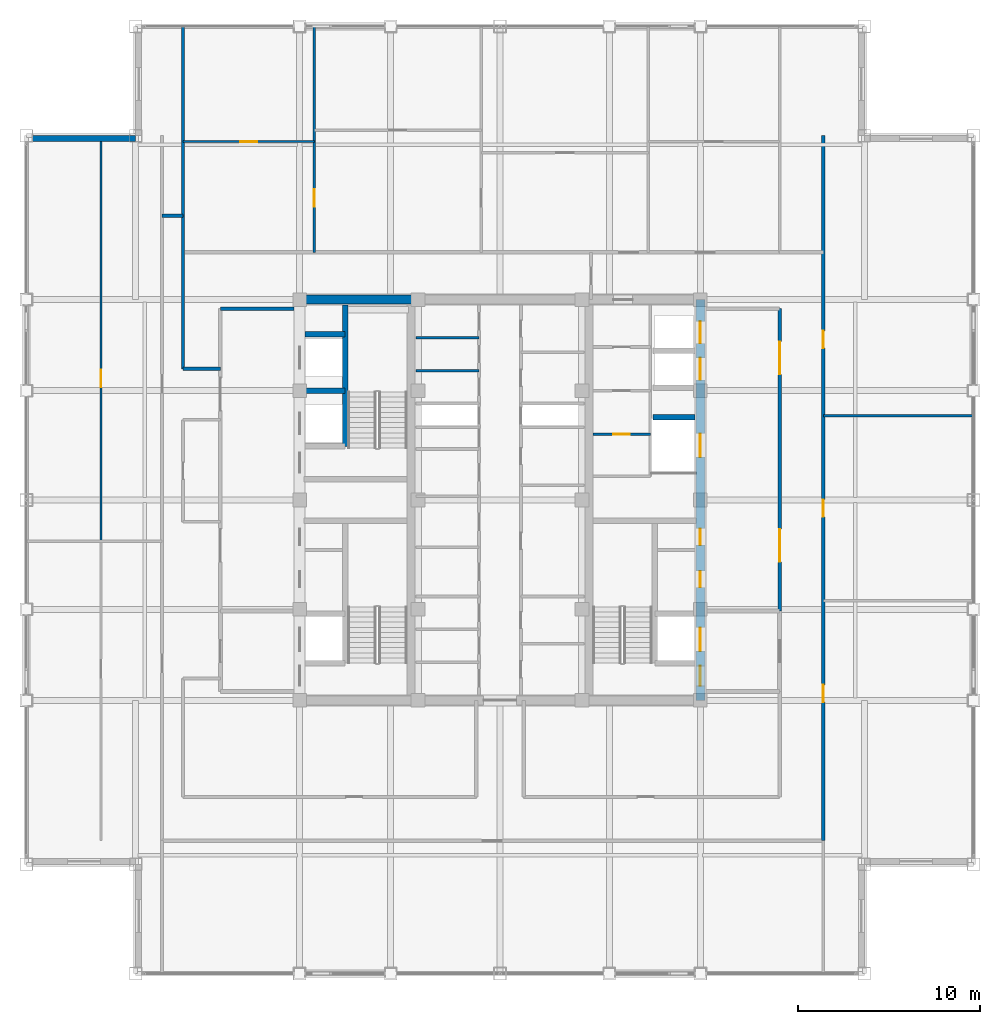
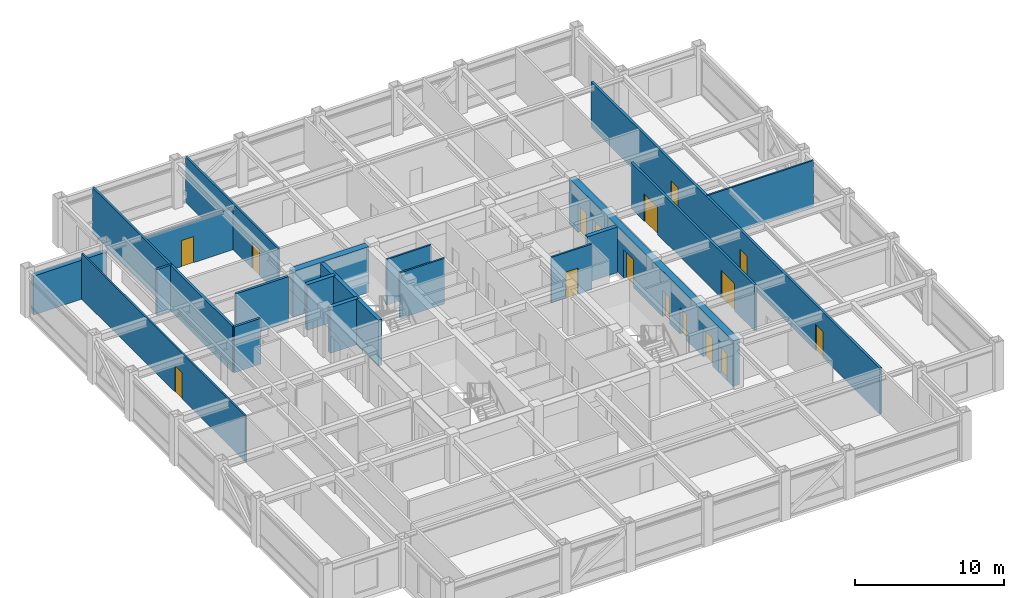
# One storey, part 26 of 29: 21 walls, 16 doors, 16 openings.
"""IFC4 building model written with IfcOpenShell, lengths in metres."""

from ifc_helpers import new_model, si_unit, direction, frame, frame_2d, origin, place, context, subcontext, project, spatial, rectangle, extrude, source, transform, mapped, material, layer, layer_set, type_object, element, fill, save


model = new_model("IFC4")

# Units and contexts
model_context = context("Model", 3, precision=1e-05, world=origin(), true_north=direction((0.0, 1.0)))
body_context = subcontext(model_context, "Body", "Model", "MODEL_VIEW")
ifc_project = project(units=[si_unit("LENGTHUNIT", "METRE"), si_unit("AREAUNIT", "SQUARE_METRE"), si_unit("VOLUMEUNIT", "CUBIC_METRE"), si_unit("PLANEANGLEUNIT", "RADIAN"), si_unit("MASSUNIT", "GRAM", prefix="KILO")], contexts=[model_context])

# Site, building, storey
site_placement = place(None, origin())
site = spatial("IfcSite", under=ifc_project, at=site_placement, CompositionType="ELEMENT")
building_placement = place(site_placement, origin())
building = spatial("IfcBuilding", under=site, at=building_placement, Name="Khorayat Bourse Tower", CompositionType="ELEMENT")
storey_placement = place(building_placement, frame((0.0, 0.0, 362.300048828125)))
storey = spatial("IfcBuildingStorey", under=building, at=storey_placement, Name="L86", CompositionType="ELEMENT", Elevation=362.300048828125)

# Wall, openings, doors
ifc_material_1 = material(Name="Concrete C52/65", Category="concrete")
ifc_layer_1 = layer(ifc_material_1, 0.5)
ifc_layer_set_1 = layer_set([ifc_layer_1], Name="Concrete C52/65")
wall_type_1 = type_object("IfcWallType", Name="WAL-CORE-500", PredefinedType="SHEAR", material=ifc_layer_set_1)
shared_shape_1 = source(origin(), body_context, "Body", "SweptSolid", [
    extrude(rectangle(XDim=22.0, YDim=0.5, at=frame_2d((11.0, 0.0))), origin(), (0.0, 0.0, 1.0), 3.739990234375),
])
wall_1_placement = place(storey_placement, frame((11.0, -11.0, 0.0), z_axis=(0.0, 0.0, 1.0), x_axis=(0.0, 1.0, 0.0)))
wall_1 = element("IfcWall", 1, at=wall_1_placement, inside=storey, type_object=wall_type_1, Name="L86 Core Shear Wall CORE-E", PredefinedType="SHEAR", context=body_context, shape_type="MappedRepresentation", body=[
    mapped(shared_shape_1, transform((0.0, 0.0, 0.0), scale=1.0)),
])
shared_shape_2 = source(origin(), body_context, "Body", "SweptSolid", [
    extrude(rectangle(XDim=1.10009765625, YDim=2.199951171875, at=frame_2d((0.550048828125, 1.10009765625))), frame((0.0, 0.260009765625, 0.0), z_axis=(0.0, -1.0, 0.0), x_axis=(1.0, 0.0, 0.0)), (0.0, 0.0, 1.0), 0.52001953125),
])
opening_1_placement = place(wall_1_placement, frame((0.800048828125, 0.0, 0.0)))
opening_1 = element("IfcOpeningElement", 2, at=opening_1_placement, cuts=wall_1, Name="Opening DI-01", PredefinedType="OPENING", context=body_context, shape_type="MappedRepresentation", body=[
    mapped(shared_shape_2, transform((0.0, 0.0, 0.0), scale=1.0)),
])
shared_shape_3 = source(origin(), body_context, "Body", "SweptSolid", [
    extrude(rectangle(XDim=0.89990234375, YDim=2.14990234375, at=frame_2d((0.449951171875, 1.074951171875))), frame((0.0, 0.260009765625, 0.0), z_axis=(0.0, -1.0, 0.0), x_axis=(1.0, 0.0, 0.0)), (0.0, 0.0, 1.0), 0.52001953125),
])
opening_2_placement = place(wall_1_placement, frame((6.199951171875, 0.0, 0.0)))
opening_2 = element("IfcOpeningElement", 3, at=opening_2_placement, cuts=wall_1, Name="Opening DI-06", PredefinedType="OPENING", context=body_context, shape_type="MappedRepresentation", body=[
    mapped(shared_shape_3, transform((0.0, 0.0, 0.0), scale=1.0)),
])
opening_3_placement = place(wall_1_placement, frame((8.52490234375, 0.0, 0.0)))
opening_3 = element("IfcOpeningElement", 4, at=opening_3_placement, cuts=wall_1, Name="Opening DI-06", PredefinedType="OPENING", context=body_context, shape_type="MappedRepresentation", body=[
    mapped(shared_shape_3, transform((0.0, 0.0, 0.0), scale=1.0)),
])
shared_shape_4 = source(origin(), body_context, "Body", "SweptSolid", [
    extrude(rectangle(XDim=1.199951171875, YDim=2.300048828125, at=frame_2d((0.60009765625, 1.14990234375))), frame((0.0, 0.260009765625, 0.0), z_axis=(0.0, -1.0, 0.0), x_axis=(1.0, 0.0, 0.0)), (0.0, 0.0, 1.0), 0.52001953125),
])
opening_4_placement = place(wall_1_placement, frame((17.60009765625, 0.0, 0.0)))
opening_4 = element("IfcOpeningElement", 5, at=opening_4_placement, cuts=wall_1, Name="Opening LD-01", PredefinedType="OPENING", context=body_context, shape_type="MappedRepresentation", body=[
    mapped(shared_shape_4, transform((0.0, 0.0, 0.0), scale=1.0)),
])
opening_5_placement = place(wall_1_placement, frame((19.60009765625, 0.0, 0.0)))
opening_5 = element("IfcOpeningElement", 6, at=opening_5_placement, cuts=wall_1, Name="Opening LD-01", PredefinedType="OPENING", context=body_context, shape_type="MappedRepresentation", body=[
    mapped(shared_shape_4, transform((0.0, 0.0, 0.0), scale=1.0)),
])
shared_shape_5 = source(origin(), body_context, "Body", "SweptSolid", [
    extrude(rectangle(XDim=1.300048828125, YDim=2.300048828125, at=frame_2d((0.64990234375, 1.14990234375))), frame((0.0, 0.260009765625, 0.0), z_axis=(0.0, -1.0, 0.0), x_axis=(1.0, 0.0, 0.0)), (0.0, 0.0, 1.0), 0.52001953125),
])
opening_6_placement = place(wall_1_placement, frame((2.699951171875, 0.0, 0.0)))
opening_6 = element("IfcOpeningElement", 7, at=opening_6_placement, cuts=wall_1, Name="Opening LD-02", PredefinedType="OPENING", context=body_context, shape_type="MappedRepresentation", body=[
    mapped(shared_shape_5, transform((0.0, 0.0, 0.0), scale=1.0)),
])
opening_7_placement = place(wall_1_placement, frame((13.35009765625, 0.0, 0.0)))
opening_7 = element("IfcOpeningElement", 8, at=opening_7_placement, cuts=wall_1, Name="Opening LD-02", PredefinedType="OPENING", context=body_context, shape_type="MappedRepresentation", body=[
    mapped(shared_shape_5, transform((0.0, 0.0, 0.0), scale=1.0)),
])
ifc_material_2 = material(Name="Fire-rated steel acoustic leaf", Category="steel")
door_type_1 = type_object("IfcDoorType", Name="DR-INT-STAIR-1100", OperationType="NOTDEFINED", PredefinedType="DOOR", material=ifc_material_2)
shared_shape_6 = source(origin(), body_context, "Body", "SweptSolid", [
    extrude(rectangle(XDim=1.10009765625, YDim=2.199951171875, at=frame_2d((0.550048828125, 1.10009765625))), frame((0.0, 0.02490234375, 0.0), z_axis=(0.0, -1.0, 0.0), x_axis=(1.0, 0.0, 0.0)), (0.0, 0.0, 1.0), 0.050048828125),
])
door_1_placement = place(opening_1_placement, origin())
door_1 = element("IfcDoor", 9, at=door_1_placement, inside=storey, type_object=door_type_1, Name="L86 Exit Stair 3 Door", OperationType="SINGLE_SWING_LEFT", OverallHeight=2.199951171875, OverallWidth=1.10009765625, PredefinedType="DOOR", context=body_context, shape_type="MappedRepresentation", body=[
    mapped(shared_shape_6, transform((0.0, 0.0, 0.0), scale=1.0)),
])
fill(opening_1, door_1)
ifc_material_3 = material(Name="Moisture-resistant laminate washroom door")
door_type_2 = type_object("IfcDoorType", Name="DR-INT-WC-900", OperationType="NOTDEFINED", PredefinedType="DOOR", material=ifc_material_3)
shared_shape_7 = source(origin(), body_context, "Body", "SweptSolid", [
    extrude(rectangle(XDim=0.89990234375, YDim=2.14990234375, at=frame_2d((0.449951171875, 1.074951171875))), frame((0.0, 0.02490234375, 0.0), z_axis=(0.0, -1.0, 0.0), x_axis=(1.0, 0.0, 0.0)), (0.0, 0.0, 1.0), 0.050048828125),
])
door_2_placement = place(opening_2_placement, origin())
door_2 = element("IfcDoor", 10, at=door_2_placement, inside=storey, type_object=door_type_2, Name="L86 Telecom Closet Door", OperationType="SINGLE_SWING_LEFT", OverallHeight=2.14990234375, OverallWidth=0.89990234375, PredefinedType="DOOR", context=body_context, shape_type="MappedRepresentation", body=[
    mapped(shared_shape_7, transform((0.0, 0.0, 0.0), scale=1.0)),
])
fill(opening_2, door_2)
door_3_placement = place(opening_3_placement, origin())
door_3 = element("IfcDoor", 11, at=door_3_placement, inside=storey, type_object=door_type_2, Name="L86 Stationery Store Door", OperationType="SINGLE_SWING_RIGHT", OverallHeight=2.14990234375, OverallWidth=0.89990234375, PredefinedType="DOOR", context=body_context, shape_type="MappedRepresentation", body=[
    mapped(shared_shape_7, transform((0.0, 0.0, 0.0), scale=1.0)),
])
fill(opening_3, door_3)
ifc_material_4 = material(Name="Brushed bronze stainless-steel sliding door", Category="steel")
door_type_3 = type_object("IfcDoorType", Name="DR-LIFT-PASS-1200", OperationType="NOTDEFINED", PredefinedType="DOOR", material=ifc_material_4)
shared_shape_8 = source(origin(), body_context, "Body", "SweptSolid", [
    extrude(rectangle(XDim=1.199951171875, YDim=2.300048828125, at=frame_2d((0.60009765625, 1.14990234375))), frame((0.0, 0.02490234375, 0.0), z_axis=(0.0, -1.0, 0.0), x_axis=(1.0, 0.0, 0.0)), (0.0, 0.0, 1.0), 0.050048828125),
])
door_4_placement = place(opening_4_placement, origin())
door_4 = element("IfcDoor", 12, at=door_4_placement, inside=storey, type_object=door_type_3, Name="L86 Lift PL-H3 Sliding Landing Door", OperationType="SLIDING_TO_LEFT", OverallHeight=2.300048828125, OverallWidth=1.199951171875, PredefinedType="DOOR", context=body_context, shape_type="MappedRepresentation", body=[
    mapped(shared_shape_8, transform((0.0, 0.0, 0.0), scale=1.0)),
])
fill(opening_4, door_4)
door_5_placement = place(opening_5_placement, origin())
door_5 = element("IfcDoor", 13, at=door_5_placement, inside=storey, type_object=door_type_3, Name="L86 Lift PL-H4 Sliding Landing Door", OperationType="SLIDING_TO_LEFT", OverallHeight=2.300048828125, OverallWidth=1.199951171875, PredefinedType="DOOR", context=body_context, shape_type="MappedRepresentation", body=[
    mapped(shared_shape_8, transform((0.0, 0.0, 0.0), scale=1.0)),
])
fill(opening_5, door_5)
ifc_material_5 = material(Name="Fire-rated stainless-steel sliding landing door", Category="steel")
door_type_4 = type_object("IfcDoorType", Name="DR-LIFT-FF-1300", OperationType="NOTDEFINED", PredefinedType="DOOR", material=ifc_material_5)
shared_shape_9 = source(origin(), body_context, "Body", "SweptSolid", [
    extrude(rectangle(XDim=1.300048828125, YDim=2.300048828125, at=frame_2d((0.64990234375, 1.14990234375))), frame((0.0, 0.02490234375, 0.0), z_axis=(0.0, -1.0, 0.0), x_axis=(1.0, 0.0, 0.0)), (0.0, 0.0, 1.0), 0.050048828125),
])
door_6_placement = place(opening_6_placement, origin())
door_6 = element("IfcDoor", 14, at=door_6_placement, inside=storey, type_object=door_type_4, Name="L86 Lift FFL-02 Sliding Landing Door", OperationType="SLIDING_TO_LEFT", OverallHeight=2.300048828125, OverallWidth=1.300048828125, PredefinedType="DOOR", context=body_context, shape_type="MappedRepresentation", body=[
    mapped(shared_shape_9, transform((0.0, 0.0, 0.0), scale=1.0)),
])
fill(opening_6, door_6)
door_7_placement = place(opening_7_placement, origin())
door_7 = element("IfcDoor", 15, at=door_7_placement, inside=storey, type_object=door_type_4, Name="L86 Lift SVL-01 Sliding Landing Door", OperationType="SLIDING_TO_LEFT", OverallHeight=2.300048828125, OverallWidth=1.300048828125, PredefinedType="DOOR", context=body_context, shape_type="MappedRepresentation", body=[
    mapped(shared_shape_9, transform((0.0, 0.0, 0.0), scale=1.0)),
])
fill(opening_7, door_7)

# Walls
shared_shape_10 = source(origin(), body_context, "Body", "SweptSolid", [
    extrude(rectangle(XDim=5.89990234375, YDim=0.5, at=frame_2d((2.949951171875, 0.0))), origin(), (0.0, 0.0, 1.0), 3.739990234375),
])
wall_2_placement = place(storey_placement, frame((-10.75, 11.0, 0.0), z_axis=(0.0, 0.0, 1.0), x_axis=(1.0, 0.0, 0.0)))
element("IfcWall", 16, at=wall_2_placement, inside=storey, type_object=wall_type_1, Name="L86 Core Shear Wall PIER-WN", PredefinedType="SHEAR", context=body_context, shape_type="MappedRepresentation", body=[
    mapped(shared_shape_10, transform((0.0, 0.0, 0.0), scale=1.0)),
])
ifc_material_6 = material(Name="Precast concrete C45/55", Category="concrete")
ifc_layer_2 = layer(ifc_material_6, 0.320068359375)
ifc_layer_set_2 = layer_set([ifc_layer_2], Name="Precast concrete C45/55")
wall_type_2 = type_object("IfcWallType", Name="WAL-EXT-STONE-320", PredefinedType="STANDARD", material=ifc_layer_set_2)
shared_shape_11 = source(origin(), body_context, "Body", "SweptSolid", [
    extrude(rectangle(XDim=5.679931640625, YDim=0.320068359375, at=frame_2d((2.83984375, 0.0))), origin(), (0.0, 0.0, 1.0), 3.19091796875),
])
wall_3_placement = place(storey_placement, frame((-20.0, 19.840087890625, 0.0), z_axis=(0.0, 0.0, 1.0), x_axis=(-1.0, 0.0, 0.0)))
element("IfcWall", 17, at=wall_3_placement, inside=storey, type_object=wall_type_2, Name="L86 Re-Entrant Notch Limestone Wall NW-H", PredefinedType="STANDARD", context=body_context, shape_type="MappedRepresentation", body=[
    mapped(shared_shape_11, transform((0.0, 0.0, 0.0), scale=1.0)),
])
ifc_material_7 = material(Name="Concrete C50/60", Category="concrete")
ifc_layer_3 = layer(ifc_material_7, 0.300048828125)
ifc_layer_set_3 = layer_set([ifc_layer_3], Name="Concrete C50/60")
wall_type_3 = type_object("IfcWallType", Name="WAL-SHAFT-300", PredefinedType="SHEAR", material=ifc_layer_set_3)
shared_shape_12 = source(origin(), body_context, "Body", "SweptSolid", [
    extrude(rectangle(XDim=2.199951171875, YDim=0.300048828125, at=frame_2d((1.10009765625, 0.0))), origin(), (0.0, 0.0, 1.0), 3.739990234375),
])
for number, where, z_axis, x_axis, name in (
    (18, (-10.699951171875, 6.0, 0.0), (0.0, 0.0, 1.0), (1.0, 0.0, 0.0), "L86 Partition WAL-L86-WPIER-H12"),
    (19, (-10.699951171875, 9.10009765625, 0.0), (0.0, 0.0, 1.0), (1.0, 0.0, 0.0), "L86 Partition WAL-L86-WPIER-H2N"),
):
    element("IfcWall", number, at=place(storey_placement, frame(where, z_axis=z_axis, x_axis=x_axis)), inside=storey, type_object=wall_type_3, Name=name, PredefinedType="SHEAR", context=body_context, shape_type="MappedRepresentation", body=[
        mapped(shared_shape_12, transform((0.0, 0.0, 0.0), scale=1.0)),
    ])
shared_shape_13 = source(origin(), body_context, "Body", "SweptSolid", [
    extrude(rectangle(XDim=7.75, YDim=0.300048828125, at=frame_2d((3.875, 0.0))), origin(), (0.0, 0.0, 1.0), 3.739990234375),
])
wall_4_placement = place(storey_placement, frame((-8.5, 2.949951171875, 0.0), z_axis=(0.0, 0.0, 1.0), x_axis=(0.0, 1.0, 0.0)))
element("IfcWall", 20, at=wall_4_placement, inside=storey, type_object=wall_type_3, Name="L86 Partition WAL-L86-WPIER-ST2S", PredefinedType="SHEAR", context=body_context, shape_type="MappedRepresentation", body=[
    mapped(shared_shape_13, transform((0.0, 0.0, 0.0), scale=1.0)),
])
shared_shape_14 = source(origin(), body_context, "Body", "SweptSolid", [
    extrude(rectangle(XDim=2.300048828125, YDim=0.300048828125, at=frame_2d((1.14990234375, 0.0))), origin(), (0.0, 0.0, 1.0), 3.739990234375),
])
wall_5_placement = place(storey_placement, frame((8.39990234375, 4.550048828125, 0.0), z_axis=(0.0, 0.0, 1.0), x_axis=(1.0, 0.0, 0.0)))
element("IfcWall", 21, at=wall_5_placement, inside=storey, type_object=wall_type_3, Name="L86 Partition WAL-L86-EPIER-SVLN", PredefinedType="SHEAR", context=body_context, shape_type="MappedRepresentation", body=[
    mapped(shared_shape_14, transform((0.0, 0.0, 0.0), scale=1.0)),
])

# Wall, opening, door
ifc_material_8 = material(Name="Moisture-resistant masonry partition", Category="masonry")
ifc_layer_4 = layer(ifc_material_8, 0.139892578125)
ifc_layer_set_4 = layer_set([ifc_layer_4], Name="Moisture-resistant masonry partition")
wall_type_4 = type_object("IfcWallType", Name="WAL-PART-WET-140", PredefinedType="PARTITIONING", material=ifc_layer_set_4)
shared_shape_15 = source(origin(), body_context, "Body", "SweptSolid", [
    extrude(rectangle(XDim=3.14990234375, YDim=0.139892578125, at=frame_2d((1.574951171875, 0.0))), origin(), (0.0, 0.0, 1.0), 3.739990234375),
])
wall_6_placement = place(storey_placement, frame((5.10009765625, 3.60009765625, 0.0), z_axis=(0.0, 0.0, 1.0), x_axis=(1.0, 0.0, 0.0)))
wall_6 = element("IfcWall", 22, at=wall_6_placement, inside=storey, type_object=wall_type_4, Name="L86 Partition WAL-L86-ECW-H2", PredefinedType="PARTITIONING", context=body_context, shape_type="MappedRepresentation", body=[
    mapped(shared_shape_15, transform((0.0, 0.0, 0.0), scale=1.0)),
])
shared_shape_16 = source(origin(), body_context, "Body", "SweptSolid", [
    extrude(rectangle(XDim=0.89990234375, YDim=2.14990234375, at=frame_2d((0.449951171875, 1.074951171875))), frame((0.0, 0.079833984375, 0.0), z_axis=(0.0, -1.0, 0.0), x_axis=(1.0, 0.0, 0.0)), (0.0, 0.0, 1.0), 0.159912109375),
])
opening_8_placement = place(wall_6_placement, frame((1.1298828125, 0.0, 0.0)))
opening_8 = element("IfcOpeningElement", 23, at=opening_8_placement, cuts=wall_6, Name="Opening DI-06", PredefinedType="OPENING", context=body_context, shape_type="MappedRepresentation", body=[
    mapped(shared_shape_16, transform((0.0, 0.0, 0.0), scale=1.0)),
])
door_8_placement = place(opening_8_placement, origin())
door_8 = element("IfcDoor", 24, at=door_8_placement, inside=storey, type_object=door_type_2, Name="L86 Staff Washroom Door", OperationType="SINGLE_SWING_LEFT", OverallHeight=2.14990234375, OverallWidth=0.89990234375, PredefinedType="DOOR", context=body_context, shape_type="MappedRepresentation", body=[
    mapped(shared_shape_7, transform((0.0, 0.0, 0.0), scale=1.0)),
])
fill(opening_8, door_8)

# Wall
ifc_material_9 = material(Name="Gypsum plasterboard acoustic stud wall")
ifc_layer_5 = layer(ifc_material_9, 0.179931640625)
ifc_layer_set_5 = layer_set([ifc_layer_5], Name="Gypsum plasterboard acoustic stud wall")
wall_type_5 = type_object("IfcWallType", Name="WAL-PART-CORR-180", PredefinedType="PARTITIONING", material=ifc_layer_set_5)
shared_shape_17 = source(origin(), body_context, "Body", "SweptSolid", [
    extrude(rectangle(XDim=4.050048828125, YDim=0.179931640625, at=frame_2d((2.02490234375, 0.0))), origin(), (0.0, 0.0, 1.0), 3.739990234375),
])
wall_7_placement = place(storey_placement, frame((-15.35009765625, 10.5, 0.0), z_axis=(0.0, 0.0, 1.0), x_axis=(1.0, 0.0, 0.0)))
element("IfcWall", 25, at=wall_7_placement, inside=storey, type_object=wall_type_5, Name="L86 Partition WAL-L86-WLOB-N", PredefinedType="PARTITIONING", context=body_context, shape_type="MappedRepresentation", body=[
    mapped(shared_shape_17, transform((0.0, 0.0, 0.0), scale=1.0)),
])

# Wall, openings, doors
shared_shape_18 = source(origin(), body_context, "Body", "SweptSolid", [
    extrude(rectangle(XDim=16.60009765625, YDim=0.179931640625, at=frame_2d((8.300048828125, 0.0))), origin(), (0.0, 0.0, 1.0), 3.739990234375),
])
wall_8_placement = place(storey_placement, frame((15.35009765625, -6.10009765625, 0.0), z_axis=(0.0, 0.0, 1.0), x_axis=(0.0, 1.0, 0.0)))
wall_8 = element("IfcWall", 26, at=wall_8_placement, inside=storey, type_object=wall_type_5, Name="L86 Partition WAL-L86-ELOB-E", PredefinedType="PARTITIONING", context=body_context, shape_type="MappedRepresentation", body=[
    mapped(shared_shape_18, transform((0.0, 0.0, 0.0), scale=1.0)),
])
shared_shape_19 = source(origin(), body_context, "Body", "SweptSolid", [
    extrude(rectangle(XDim=1.800048828125, YDim=2.25, at=frame_2d((0.89990234375, 1.125))), frame((0.0, 0.099853515625, 0.0), z_axis=(0.0, -1.0, 0.0), x_axis=(1.0, 0.0, 0.0)), (0.0, 0.0, 1.0), 0.199951171875),
])
opening_9_placement = place(wall_8_placement, frame((2.699951171875, 0.0, 0.0)))
opening_9 = element("IfcOpeningElement", 27, at=opening_9_placement, cuts=wall_8, Name="Opening DI-03", PredefinedType="OPENING", context=body_context, shape_type="MappedRepresentation", body=[
    mapped(shared_shape_19, transform((0.0, 0.0, 0.0), scale=1.0)),
])
opening_10_placement = place(wall_8_placement, frame((13.0, 0.0, 0.0)))
opening_10 = element("IfcOpeningElement", 28, at=opening_10_placement, cuts=wall_8, Name="Opening DI-03", PredefinedType="OPENING", context=body_context, shape_type="MappedRepresentation", body=[
    mapped(shared_shape_19, transform((0.0, 0.0, 0.0), scale=1.0)),
])
ifc_material_10 = material(Name="Fire-rated hardwood vision-panel double leaf", Category="wood")
door_type_5 = type_object("IfcDoorType", Name="DR-INT-CORR-1800", OperationType="NOTDEFINED", PredefinedType="DOOR", material=ifc_material_10)
shared_shape_20 = source(origin(), body_context, "Body", "SweptSolid", [
    extrude(rectangle(XDim=1.800048828125, YDim=2.25, at=frame_2d((0.89990234375, 1.125))), frame((0.0, 0.02490234375, 0.0), z_axis=(0.0, -1.0, 0.0), x_axis=(1.0, 0.0, 0.0)), (0.0, 0.0, 1.0), 0.050048828125),
])
door_9_placement = place(opening_9_placement, origin())
door_9 = element("IfcDoor", 29, at=door_9_placement, inside=storey, type_object=door_type_5, Name="L86 East Core Lobby South Door", OperationType="SINGLE_SWING_RIGHT", OverallHeight=2.25, OverallWidth=1.800048828125, PredefinedType="DOOR", context=body_context, shape_type="MappedRepresentation", body=[
    mapped(shared_shape_20, transform((0.0, 0.0, 0.0), scale=1.0)),
])
fill(opening_9, door_9)
door_10_placement = place(opening_10_placement, origin())
door_10 = element("IfcDoor", 30, at=door_10_placement, inside=storey, type_object=door_type_5, Name="L86 East Core Lobby North Door", OperationType="SINGLE_SWING_LEFT", OverallHeight=2.25, OverallWidth=1.800048828125, PredefinedType="DOOR", context=body_context, shape_type="MappedRepresentation", body=[
    mapped(shared_shape_20, transform((0.0, 0.0, 0.0), scale=1.0)),
])
fill(opening_10, door_10)

# Walls
shared_shape_21 = source(origin(), body_context, "Body", "SweptSolid", [
    extrude(rectangle(XDim=3.4501953125, YDim=0.139892578125, at=frame_2d((1.72509765625, 0.0))), origin(), (0.0, 0.0, 1.0), 3.739990234375),
])
for number, where, z_axis, x_axis, name in (
    (31, (-4.60009765625, 7.10009765625, 0.0), (0.0, 0.0, 1.0), (1.0, 0.0, 0.0), "L86 Partition WAL-L86-FB2W-D1"),
    (32, (-4.60009765625, 8.89990234375, 0.0), (0.0, 0.0, 1.0), (1.0, 0.0, 0.0), "L86 Partition WAL-L86-FB2W-D2"),
):
    element("IfcWall", number, at=place(storey_placement, frame(where, z_axis=z_axis, x_axis=x_axis)), inside=storey, type_object=wall_type_4, Name=name, PredefinedType="PARTITIONING", context=body_context, shape_type="MappedRepresentation", body=[
        mapped(shared_shape_21, transform((0.0, 0.0, 0.0), scale=1.0)),
    ])
shared_shape_22 = source(origin(), body_context, "Body", "SweptSolid", [
    extrude(rectangle(XDim=2.0498046875, YDim=0.179931640625, at=frame_2d((1.02490234375, 0.0))), origin(), (0.0, 0.0, 1.0), 3.739990234375),
])
wall_9_placement = place(storey_placement, frame((-17.39990234375, 7.199951171875, 0.0), z_axis=(0.0, 0.0, 1.0), x_axis=(1.0, 0.0, 0.0)))
element("IfcWall", 33, at=wall_9_placement, inside=storey, type_object=wall_type_5, Name="L86 Partition WAL-L86-THRWN-T", PredefinedType="PARTITIONING", context=body_context, shape_type="MappedRepresentation", body=[
    mapped(shared_shape_22, transform((0.0, 0.0, 0.0), scale=1.0)),
])
shared_shape_23 = source(origin(), body_context, "Body", "SweptSolid", [
    extrude(rectangle(XDim=8.400146484375, YDim=0.179931640625, at=frame_2d((4.2001953125, 0.0))), origin(), (0.0, 0.0, 1.0), 3.739990234375),
])
wall_10_placement = place(storey_placement, frame((-17.39990234375, 7.199951171875, 0.0), z_axis=(0.0, 0.0, 1.0), x_axis=(0.0, 1.0, 0.0)))
element("IfcWall", 34, at=wall_10_placement, inside=storey, type_object=wall_type_5, Name="L86 Partition WAL-L86-THRWN-N", PredefinedType="PARTITIONING", context=body_context, shape_type="MappedRepresentation", body=[
    mapped(shared_shape_23, transform((0.0, 0.0, 0.0), scale=1.0)),
])
shared_shape_24 = source(origin(), body_context, "Body", "SweptSolid", [
    extrude(rectangle(XDim=1.150146484375, YDim=0.179931640625, at=frame_2d((0.5751953125, 0.0))), origin(), (0.0, 0.0, 1.0), 3.739990234375),
])
wall_11_placement = place(storey_placement, frame((-18.550048828125, 15.60009765625, 0.0), z_axis=(0.0, 0.0, 1.0), x_axis=(1.0, 0.0, 0.0)))
element("IfcWall", 35, at=wall_11_placement, inside=storey, type_object=wall_type_5, Name="L86 Partition WAL-L86-GALW-N", PredefinedType="PARTITIONING", context=body_context, shape_type="MappedRepresentation", body=[
    mapped(shared_shape_24, transform((0.0, 0.0, 0.0), scale=1.0)),
])

# Wall, opening, door
ifc_material_11 = material(Name="Gypsum plasterboard twin-frame partition")
ifc_layer_6 = layer(ifc_material_11, 0.14990234375)
ifc_layer_set_6 = layer_set([ifc_layer_6], Name="Gypsum plasterboard twin-frame partition")
wall_type_6 = type_object("IfcWallType", Name="WAL-PART-SUITE-150", PredefinedType="PARTITIONING", material=ifc_layer_set_6)
shared_shape_25 = source(origin(), body_context, "Body", "SweptSolid", [
    extrude(rectangle(XDim=12.39990234375, YDim=0.14990234375, at=frame_2d((6.199951171875, 0.0))), origin(), (0.0, 0.0, 1.0), 3.739990234375),
])
wall_12_placement = place(storey_placement, frame((-10.195068359375, 13.60009765625, 0.0), z_axis=(0.0, 0.0, 1.0), x_axis=(0.0, 1.0, 0.0)))
wall_12 = element("IfcWall", 36, at=wall_12_placement, inside=storey, type_object=wall_type_6, Name="L86 Partition WAL-L86-NDV-1", PredefinedType="PARTITIONING", context=body_context, shape_type="MappedRepresentation", body=[
    mapped(shared_shape_25, transform((0.0, 0.0, 0.0), scale=1.0)),
])
shared_shape_26 = source(origin(), body_context, "Body", "SweptSolid", [
    extrude(rectangle(XDim=0.949951171875, YDim=2.14990234375, at=frame_2d((0.47509765625, 1.074951171875))), frame((0.0, 0.0849609375, 0.0), z_axis=(0.0, -1.0, 0.0), x_axis=(1.0, 0.0, 0.0)), (0.0, 0.0, 1.0), 0.169921875),
])
opening_11_placement = place(wall_12_placement, frame((2.5009765625, 0.0, 0.0)))
opening_11 = element("IfcOpeningElement", 37, at=opening_11_placement, cuts=wall_12, Name="Opening DI-05", PredefinedType="OPENING", context=body_context, shape_type="MappedRepresentation", body=[
    mapped(shared_shape_26, transform((0.0, 0.0, 0.0), scale=1.0)),
])
ifc_material_12 = material(Name="Acoustic oak veneer office door")
door_type_6 = type_object("IfcDoorType", Name="DR-INT-OFFICE-950", OperationType="NOTDEFINED", PredefinedType="DOOR", material=ifc_material_12)
shared_shape_27 = source(origin(), body_context, "Body", "SweptSolid", [
    extrude(rectangle(XDim=0.949951171875, YDim=2.14990234375, at=frame_2d((0.47509765625, 1.074951171875))), frame((0.0, 0.02490234375, 0.0), z_axis=(0.0, -1.0, 0.0), x_axis=(1.0, 0.0, 0.0)), (0.0, 0.0, 1.0), 0.050048828125),
])
door_11_placement = place(opening_11_placement, origin())
door_11 = element("IfcDoor", 38, at=door_11_placement, inside=storey, type_object=door_type_6, Name="L86 N Suite Link 1", OperationType="SINGLE_SWING_RIGHT", OverallHeight=2.14990234375, OverallWidth=0.949951171875, PredefinedType="DOOR", context=body_context, shape_type="MappedRepresentation", body=[
    mapped(shared_shape_27, transform((0.0, 0.0, 0.0), scale=1.0)),
])
fill(opening_11, door_11)

# Walls
shared_shape_28 = source(origin(), body_context, "Body", "SweptSolid", [
    extrude(rectangle(XDim=10.39990234375, YDim=0.14990234375, at=frame_2d((5.199951171875, 0.0))), origin(), (0.0, 0.0, 1.0), 3.739990234375),
])
wall_13_placement = place(storey_placement, frame((-17.39990234375, 15.60009765625, 0.0), z_axis=(0.0, 0.0, 1.0), x_axis=(0.0, 1.0, 0.0)))
element("IfcWall", 39, at=wall_13_placement, inside=storey, type_object=wall_type_6, Name="L86 Partition WAL-L86-NCW-END", PredefinedType="PARTITIONING", context=body_context, shape_type="MappedRepresentation", body=[
    mapped(shared_shape_28, transform((0.0, 0.0, 0.0), scale=1.0)),
])
ifc_material_13 = material(Name="Gypsum plasterboard partition")
ifc_layer_7 = layer(ifc_material_13, 0.125)
ifc_layer_set_7 = layer_set([ifc_layer_7], Name="Gypsum plasterboard partition")
wall_type_7 = type_object("IfcWallType", Name="WAL-PART-ROOM-125", PredefinedType="PARTITIONING", material=ifc_layer_set_7)
shared_shape_29 = source(origin(), body_context, "Body", "SweptSolid", [
    extrude(rectangle(XDim=8.25, YDim=0.125, at=frame_2d((4.125, 0.0))), origin(), (0.0, 0.0, 1.0), 3.739990234375),
])
wall_14_placement = place(storey_placement, frame((17.75, 4.6298828125, 0.0), z_axis=(0.0, 0.0, 1.0), x_axis=(1.0, 0.0, 0.0)))
element("IfcWall", 40, at=wall_14_placement, inside=storey, type_object=wall_type_7, Name="L86 Partition WAL-L86-EDV-2", PredefinedType="PARTITIONING", context=body_context, shape_type="MappedRepresentation", body=[
    mapped(shared_shape_29, transform((0.0, 0.0, 0.0), scale=1.0)),
])

# Wall, opening, door
shared_shape_30 = source(origin(), body_context, "Body", "SweptSolid", [
    extrude(rectangle(XDim=7.204833984375, YDim=0.125, at=frame_2d((3.6025390625, 0.0))), origin(), (0.0, 0.0, 1.0), 3.39306640625),
])
wall_15_placement = place(storey_placement, frame((-17.39990234375, 19.676025390625, 0.0), z_axis=(0.0, 0.0, 1.0), x_axis=(1.0, 0.0, 0.0)))
wall_15 = element("IfcWall", 41, at=wall_15_placement, inside=storey, type_object=wall_type_7, Name="L86 Partition WAL-L86-NDP-1", PredefinedType="PARTITIONING", context=body_context, shape_type="MappedRepresentation", body=[
    mapped(shared_shape_30, transform((0.0, 0.0, 0.0), scale=1.0)),
])
shared_shape_31 = source(origin(), body_context, "Body", "SweptSolid", [
    extrude(rectangle(XDim=0.949951171875, YDim=2.14990234375, at=frame_2d((0.47509765625, 1.074951171875))), frame((0.0, 0.072509765625, 0.0), z_axis=(0.0, -1.0, 0.0), x_axis=(1.0, 0.0, 0.0)), (0.0, 0.0, 1.0), 0.14501953125),
])
opening_12_placement = place(wall_15_placement, frame((3.12744140625, 0.0, 0.0)))
opening_12 = element("IfcOpeningElement", 42, at=opening_12_placement, cuts=wall_15, Name="Opening DI-05", PredefinedType="OPENING", context=body_context, shape_type="MappedRepresentation", body=[
    mapped(shared_shape_31, transform((0.0, 0.0, 0.0), scale=1.0)),
])
door_12_placement = place(opening_12_placement, origin())
door_12 = element("IfcDoor", 43, at=door_12_placement, inside=storey, type_object=door_type_6, Name="L86 Executive Wellness Fitness Gym N1B Door", OperationType="SINGLE_SWING_RIGHT", OverallHeight=2.14990234375, OverallWidth=0.949951171875, PredefinedType="DOOR", context=body_context, shape_type="MappedRepresentation", body=[
    mapped(shared_shape_27, transform((0.0, 0.0, 0.0), scale=1.0)),
])
fill(opening_12, door_12)

shared_shape_32 = source(origin(), body_context, "Body", "SweptSolid", [
    extrude(rectangle(XDim=21.9638671875, YDim=0.125, at=frame_2d((10.98193359375, 0.0))), origin(), (0.0, 0.0, 1.0), 3.739990234375),
])
wall_16_placement = place(storey_placement, frame((-21.902587890625, -2.263916015625, 0.0), z_axis=(0.0, 0.0, 1.0), x_axis=(0.0, 1.0, 0.0)))
wall_16 = element("IfcWall", 44, at=wall_16_placement, inside=storey, type_object=wall_type_7, Name="L86 Partition WAL-L86-WDP-2", PredefinedType="PARTITIONING", context=body_context, shape_type="MappedRepresentation", body=[
    mapped(shared_shape_32, transform((0.0, 0.0, 0.0), scale=1.0)),
])
opening_13_placement = place(wall_16_placement, frame((8.45703125, 0.0, 0.0)))
opening_13 = element("IfcOpeningElement", 45, at=opening_13_placement, cuts=wall_16, Name="Opening DI-05", PredefinedType="OPENING", context=body_context, shape_type="MappedRepresentation", body=[
    mapped(shared_shape_31, transform((0.0, 0.0, 0.0), scale=1.0)),
])
door_13_placement = place(opening_13_placement, origin())
door_13 = element("IfcDoor", 46, at=door_13_placement, inside=storey, type_object=door_type_6, Name="L86 Executive Wellness Fitness Gym W2B Door", OperationType="SINGLE_SWING_LEFT", OverallHeight=2.14990234375, OverallWidth=0.949951171875, PredefinedType="DOOR", context=body_context, shape_type="MappedRepresentation", body=[
    mapped(shared_shape_27, transform((0.0, 0.0, 0.0), scale=1.0)),
])
fill(opening_13, door_13)

# Wall, openings, doors
shared_shape_33 = source(origin(), body_context, "Body", "SweptSolid", [
    extrude(rectangle(XDim=38.699951171875, YDim=0.179931640625, at=frame_2d((19.35009765625, 0.0))), origin(), (0.0, 0.0, 1.0), 3.739990234375),
])
wall_17_placement = place(storey_placement, frame((17.75, -18.699951171875, 0.0), z_axis=(0.0, 0.0, 1.0), x_axis=(0.0, 1.0, 0.0)))
wall_17 = element("IfcWall", 47, at=wall_17_placement, inside=storey, type_object=wall_type_5, Name="L86 Partition WAL-L86-ECORR", PredefinedType="PARTITIONING", context=body_context, shape_type="MappedRepresentation", body=[
    mapped(shared_shape_33, transform((0.0, 0.0, 0.0), scale=1.0)),
])
shared_shape_34 = source(origin(), body_context, "Body", "SweptSolid", [
    extrude(rectangle(XDim=0.949951171875, YDim=2.14990234375, at=frame_2d((0.47509765625, 1.074951171875))), frame((0.0, 0.099853515625, 0.0), z_axis=(0.0, -1.0, 0.0), x_axis=(1.0, 0.0, 0.0)), (0.0, 0.0, 1.0), 0.199951171875),
])
opening_14_placement = place(wall_17_placement, frame((7.60693359375, 0.0, 0.0)))
opening_14 = element("IfcOpeningElement", 48, at=opening_14_placement, cuts=wall_17, Name="Opening DI-05", PredefinedType="OPENING", context=body_context, shape_type="MappedRepresentation", body=[
    mapped(shared_shape_34, transform((0.0, 0.0, 0.0), scale=1.0)),
])
opening_15_placement = place(wall_17_placement, frame((17.77197265625, 0.0, 0.0)))
opening_15 = element("IfcOpeningElement", 49, at=opening_15_placement, cuts=wall_17, Name="Opening DI-05", PredefinedType="OPENING", context=body_context, shape_type="MappedRepresentation", body=[
    mapped(shared_shape_34, transform((0.0, 0.0, 0.0), scale=1.0)),
])
opening_16_placement = place(wall_17_placement, frame((27.0400390625, 0.0, 0.0)))
opening_16 = element("IfcOpeningElement", 50, at=opening_16_placement, cuts=wall_17, Name="Opening DI-05", PredefinedType="OPENING", context=body_context, shape_type="MappedRepresentation", body=[
    mapped(shared_shape_34, transform((0.0, 0.0, 0.0), scale=1.0)),
])
door_14_placement = place(opening_14_placement, origin())
door_14 = element("IfcDoor", 51, at=door_14_placement, inside=storey, type_object=door_type_6, Name="L86 Members Club Room E1 Door", OperationType="SINGLE_SWING_RIGHT", OverallHeight=2.14990234375, OverallWidth=0.949951171875, PredefinedType="DOOR", context=body_context, shape_type="MappedRepresentation", body=[
    mapped(shared_shape_27, transform((0.0, 0.0, 0.0), scale=1.0)),
])
fill(opening_14, door_14)
door_15_placement = place(opening_15_placement, origin())
door_15 = element("IfcDoor", 52, at=door_15_placement, inside=storey, type_object=door_type_6, Name="L86 Clearing Operations Office E2 Door", OperationType="SINGLE_SWING_LEFT", OverallHeight=2.14990234375, OverallWidth=0.949951171875, PredefinedType="DOOR", context=body_context, shape_type="MappedRepresentation", body=[
    mapped(shared_shape_27, transform((0.0, 0.0, 0.0), scale=1.0)),
])
fill(opening_15, door_15)
door_16_placement = place(opening_16_placement, origin())
door_16 = element("IfcDoor", 53, at=door_16_placement, inside=storey, type_object=door_type_6, Name="L86 Market Risk Analytics Workspace E3 Door", OperationType="SINGLE_SWING_RIGHT", OverallHeight=2.14990234375, OverallWidth=0.949951171875, PredefinedType="DOOR", context=body_context, shape_type="MappedRepresentation", body=[
    mapped(shared_shape_27, transform((0.0, 0.0, 0.0), scale=1.0)),
])
fill(opening_16, door_16)

save(model, "model.ifc")
